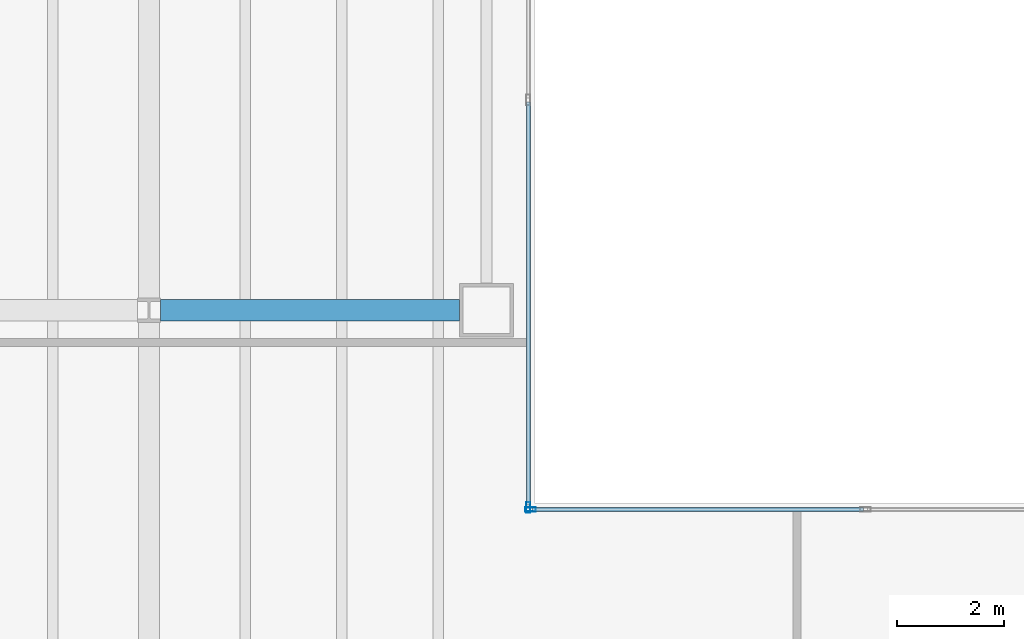
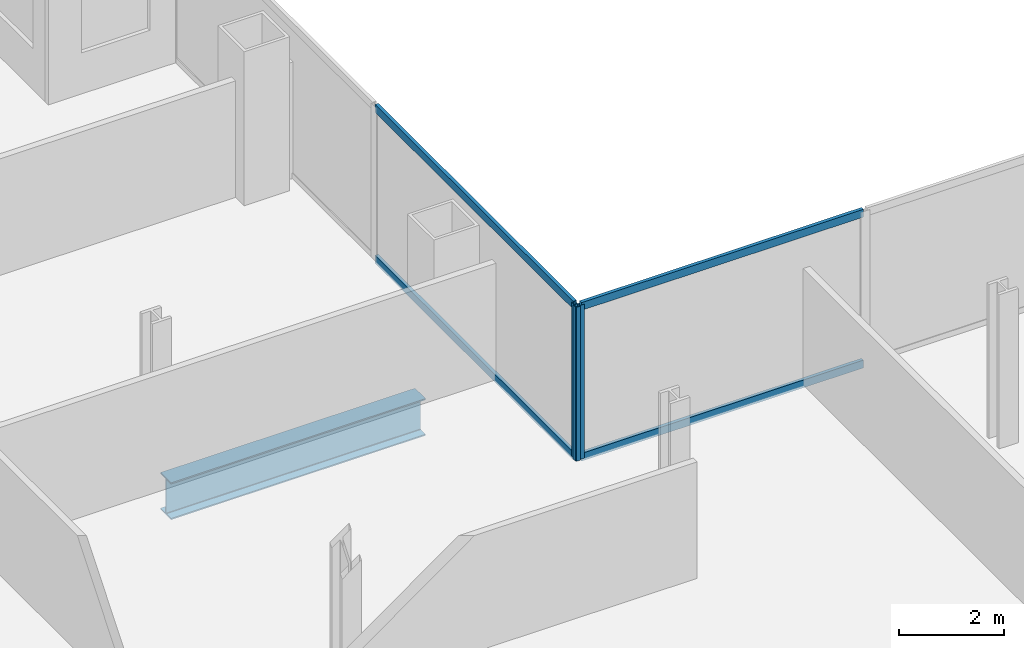
# One storey, part 6 of 23: 6 members, 1 beam, 2 elements without a shape of their own.
"""IFC4 building model written with IfcOpenShell, lengths in metres."""

from ifc_helpers import new_model, si_unit, direction, frame, origin, origin_2d, place, context, subcontext, project, spatial, hollow_rectangle, i_section, extrude, material, material_profile, profile_set, type_object, element, aggregate, save


model = new_model("IFC4")

# Units and contexts
model_context = context("Model", 3, precision=1e-05, world=origin(), true_north=direction((0.0, 1.0)))
body_context = subcontext(model_context, "Body", "Model", "MODEL_VIEW")
ifc_project = project(units=[si_unit("LENGTHUNIT", "METRE"), si_unit("AREAUNIT", "SQUARE_METRE"), si_unit("VOLUMEUNIT", "CUBIC_METRE"), si_unit("PLANEANGLEUNIT", "RADIAN"), si_unit("MASSUNIT", "GRAM", prefix="KILO")], contexts=[model_context])

# Site, building, storey
site_placement = place(None, origin())
site = spatial("IfcSite", under=ifc_project, at=site_placement, CompositionType="ELEMENT")
building_placement = place(site_placement, origin())
building = spatial("IfcBuilding", under=site, at=building_placement, Name="Cobrela Telecom Tower", CompositionType="ELEMENT")
storey_placement = place(building_placement, frame((0.0, 0.0, 65.800048828125)))
storey = spatial("IfcBuildingStorey", under=building, at=storey_placement, Name="L16", CompositionType="ELEMENT", Elevation=65.800048828125)

# Beam
ifc_material_1 = material(Name="Steel ASTM A992 Grade 50", Category="steel")
ifc_material_profile_1 = material_profile(ifc_material_1, i_section(OverallWidth=0.39892578125, OverallDepth=0.85595703125, WebThickness=0.018310546875, FlangeThickness=0.029296875, FilletRadius=0.02001953125, at=origin_2d()), Name="W33X201")
ifc_profile_set_1 = profile_set([ifc_material_profile_1], Name="Steel ASTM A992 Grade 50")
beam_type = type_object("IfcBeamType", Name="BM-GIRD-03", PredefinedType="USERDEFINED", material=ifc_profile_set_1)
beam_placement = place(storey_placement, frame((21.81591796875, 28.800048828125, -0.7080078125), z_axis=(1.0, 0.0, 0.0), x_axis=(0.0, 1.0, 0.0)))
element("IfcBeam", 1, at=beam_placement, inside=storey, type_object=beam_type, Name="L16 Primary Girder X24", ObjectType="GIRDER", PredefinedType="USERDEFINED", context=body_context, shape_type="SweptSolid", body=[
    extrude(i_section(OverallWidth=0.39892578125, OverallDepth=0.85595703125, WebThickness=0.018310546875, FlangeThickness=0.029296875, FilletRadius=0.02001953125, at=origin_2d()), origin(), (0.0, 0.0, 1.0), 5.5791015625),
])

# Curtain wall, member
ifc_material_2 = material(Name="Anodized Bronze Aluminium 6063-T6", Category="aluminium")
curtain_wall_type = type_object("IfcCurtainWallType", Name="CW-SYS-DATA", PredefinedType="USERDEFINED", material=ifc_material_2)
curtain_wall_1_placement = place(storey_placement, origin())
curtain_wall_1 = element("IfcCurtainWall", 2, at=curtain_wall_1_placement, inside=storey, type_object=curtain_wall_type, Name="L16 Unitised Bronze Curtain Wall 10", ObjectType="UNITISED CURTAIN WALL", PredefinedType="USERDEFINED")
ifc_material_profile_2 = material_profile(ifc_material_2, hollow_rectangle(XDim=0.080078125, YDim=0.199951171875, WallThickness=0.00390625, at=origin_2d()), Name="ALU 80x200x4")
ifc_profile_set_2 = profile_set([ifc_material_profile_2], Name="Anodized Bronze Aluminium 6063-T6")
member_type_1 = type_object("IfcMemberType", Name="CW-SYS-DATA-MUL", PredefinedType="MULLION", material=ifc_profile_set_2)
member_1_placement = place(storey_placement, frame((28.679931640625, 25.1201171875, 0.0), z_axis=(0.0, 0.0, 1.0), x_axis=(1.0, 0.0, 0.0)))
member_1 = element("IfcMember", 3, at=member_1_placement, type_object=member_type_1, Name="CW-DATA mullion 3", PredefinedType="MULLION", context=body_context, shape_type="SweptSolid", body=[
    extrude(hollow_rectangle(XDim=0.080078125, YDim=0.199951171875, WallThickness=0.00390625, at=origin_2d()), origin(), (0.0, 0.0, 1.0), 3.570068359375),
])

curtain_wall_2_placement = place(storey_placement, origin())
curtain_wall_2 = element("IfcCurtainWall", 4, at=curtain_wall_2_placement, inside=storey, type_object=curtain_wall_type, Name="L16 Unitised Bronze Curtain Wall 11", ObjectType="UNITISED CURTAIN WALL", PredefinedType="USERDEFINED")
member_2_placement = place(storey_placement, frame((28.719970703125, 25.080078125, 0.0), z_axis=(0.0, 0.0, 1.0), x_axis=(0.0, 1.0, 0.0)))
member_2 = element("IfcMember", 5, at=member_2_placement, type_object=member_type_1, Name="CW-DATA mullion 1", PredefinedType="MULLION", context=body_context, shape_type="SweptSolid", body=[
    extrude(hollow_rectangle(XDim=0.080078125, YDim=0.199951171875, WallThickness=0.00390625, at=origin_2d()), origin(), (0.0, 0.0, 1.0), 3.570068359375),
])

# Member
ifc_material_profile_3 = material_profile(ifc_material_2, hollow_rectangle(XDim=0.074951171875, YDim=0.179931640625, WallThickness=0.00390625, at=origin_2d()), Name="ALU 75x180x4")
ifc_profile_set_3 = profile_set([ifc_material_profile_3], Name="Anodized Bronze Aluminium 6063-T6")
member_type_2 = type_object("IfcMemberType", Name="CW-SYS-DATA-TRN", PredefinedType="USERDEFINED", material=ifc_profile_set_3)
member_3_placement = place(storey_placement, frame((28.679931640625, 32.68505859375, 0.037353515625), z_axis=(0.0, -1.0, 0.0), x_axis=(1.0, 0.0, 0.0)))
member_3 = element("IfcMember", 6, at=member_3_placement, type_object=member_type_2, Name="CW-DATA transom 2.1", ObjectType="TRANSOM", PredefinedType="USERDEFINED", context=body_context, shape_type="SweptSolid", body=[
    extrude(hollow_rectangle(XDim=0.074951171875, YDim=0.179931640625, WallThickness=0.00390625, at=origin_2d()), origin(), (0.0, 0.0, 1.0), 7.525146484375),
])

member_4_placement = place(storey_placement, frame((28.679931640625, 32.68505859375, 3.532470703125), z_axis=(0.0, -1.0, 0.0), x_axis=(1.0, 0.0, 0.0)))
member_4 = element("IfcMember", 7, at=member_4_placement, type_object=member_type_2, Name="CW-DATA transom 2.2", ObjectType="TRANSOM", PredefinedType="USERDEFINED", context=body_context, shape_type="SweptSolid", body=[
    extrude(hollow_rectangle(XDim=0.074951171875, YDim=0.179931640625, WallThickness=0.00390625, at=origin_2d()), origin(), (0.0, 0.0, 1.0), 7.525146484375),
])

aggregate(curtain_wall_1, [member_1, member_3, member_4])

member_5_placement = place(storey_placement, frame((28.760009765625, 25.080078125, 0.037353515625), z_axis=(1.0, 0.0, 0.0), x_axis=(0.0, 1.0, 0.0)))
member_5 = element("IfcMember", 8, at=member_5_placement, type_object=member_type_2, Name="CW-DATA transom 1.1", ObjectType="TRANSOM", PredefinedType="USERDEFINED", context=body_context, shape_type="SweptSolid", body=[
    extrude(hollow_rectangle(XDim=0.074951171875, YDim=0.179931640625, WallThickness=0.00390625, at=origin_2d()), origin(), (0.0, 0.0, 1.0), 6.1767578125),
])

member_6_placement = place(storey_placement, frame((28.760009765625, 25.080078125, 3.532470703125), z_axis=(1.0, 0.0, 0.0), x_axis=(0.0, 1.0, 0.0)))
member_6 = element("IfcMember", 9, at=member_6_placement, type_object=member_type_2, Name="CW-DATA transom 1.2", ObjectType="TRANSOM", PredefinedType="USERDEFINED", context=body_context, shape_type="SweptSolid", body=[
    extrude(hollow_rectangle(XDim=0.074951171875, YDim=0.179931640625, WallThickness=0.00390625, at=origin_2d()), origin(), (0.0, 0.0, 1.0), 6.1767578125),
])

aggregate(curtain_wall_2, [member_2, member_5, member_6])

save(model, "model.ifc")
